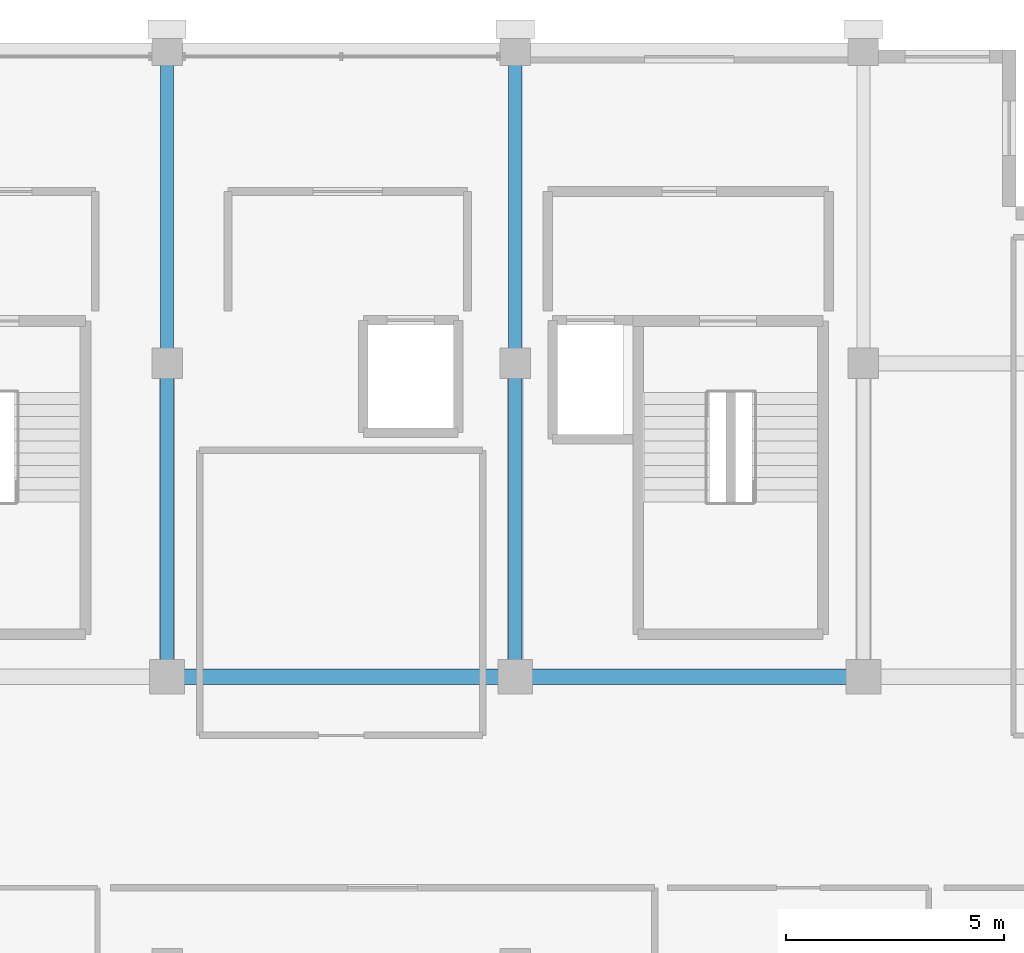
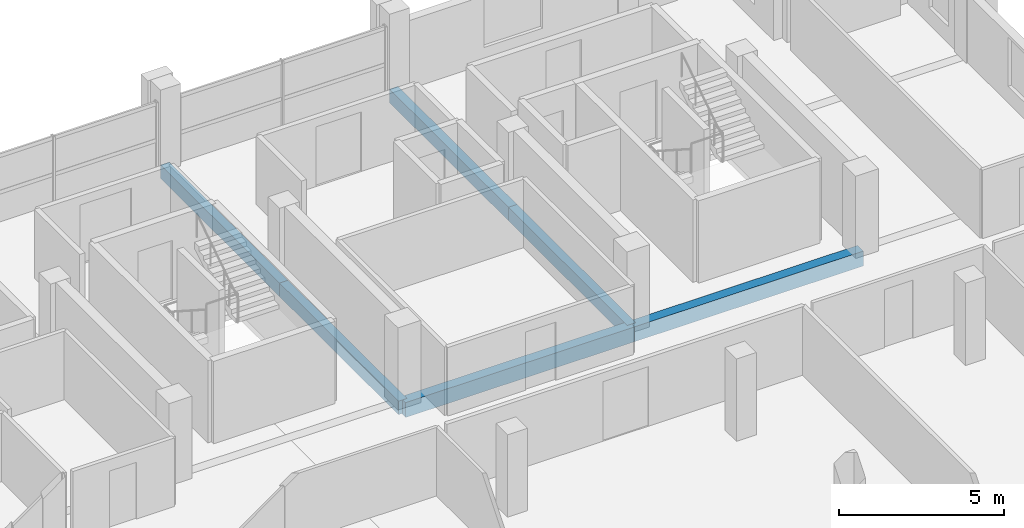
# One storey, part 12 of 24: 6 beams.
"""IFC4 building model written with IfcOpenShell, lengths in metres."""

from ifc_helpers import new_model, si_unit, direction, frame, origin, origin_2d, place, context, subcontext, project, spatial, rectangle, extrude, material, material_profile, profile_set, type_object, element, save


model = new_model("IFC4")

# Units and contexts
model_context = context("Model", 3, precision=1e-05, world=origin(), true_north=direction((0.0, 1.0)))
body_context = subcontext(model_context, "Body", "Model", "MODEL_VIEW")
ifc_project = project(units=[si_unit("LENGTHUNIT", "METRE"), si_unit("AREAUNIT", "SQUARE_METRE"), si_unit("VOLUMEUNIT", "CUBIC_METRE"), si_unit("PLANEANGLEUNIT", "RADIAN"), si_unit("MASSUNIT", "GRAM", prefix="KILO")], contexts=[model_context])

# Site, building, storey
site_placement = place(None, origin())
site = spatial("IfcSite", under=ifc_project, at=site_placement, CompositionType="ELEMENT")
building_placement = place(site_placement, origin())
building = spatial("IfcBuilding", under=site, at=building_placement, Name="Akrevak Sports Hall", CompositionType="ELEMENT")
storey_placement = place(building_placement, frame((0.0, 0.0, 60.050048828125)))
storey = spatial("IfcBuildingStorey", under=building, at=storey_placement, Name="L15", CompositionType="ELEMENT", Elevation=60.050048828125)

# Beams
ifc_material = material(Name="Concrete C40/50", Category="concrete")
ifc_material_profile_1 = material_profile(ifc_material, rectangle(XDim=0.300048828125, YDim=0.5, at=origin_2d()), Name="BM 300x500", Category="concrete")
ifc_profile_set_1 = profile_set([ifc_material_profile_1], Name="Concrete C40/50")
beam_type_1 = type_object("IfcBeamType", Name="STR-BM-RC300x500", PredefinedType="BEAM", material=ifc_profile_set_1)
beam_1_placement = place(storey_placement, frame((84.0, 55.199951171875, -0.25), z_axis=(0.0, 1.0, 0.0), x_axis=(-1.0, 0.0, 0.0)))
element("IfcBeam", 1, at=beam_1_placement, inside=storey, type_object=beam_type_1, Name="Girder 12/I-J (L15)", PredefinedType="BEAM", context=body_context, shape_type="SweptSolid", body=[
    extrude(rectangle(XDim=0.300048828125, YDim=0.5, at=origin_2d()), origin(), (0.0, 0.0, 1.0), 7.199951171875),
])
beam_2_placement = place(storey_placement, frame((84.0, 62.39990234375, -0.25), z_axis=(0.0, 1.0, 0.0), x_axis=(-1.0, 0.0, 0.0)))
element("IfcBeam", 2, at=beam_2_placement, inside=storey, type_object=beam_type_1, Name="Girder 12/J-K (L15)", PredefinedType="BEAM", context=body_context, shape_type="SweptSolid", body=[
    extrude(rectangle(XDim=0.300048828125, YDim=0.5, at=origin_2d()), origin(), (0.0, 0.0, 1.0), 7.2001953125),
])
beam_3_placement = place(storey_placement, frame((92.0, 55.199951171875, -0.25), z_axis=(0.0, 1.0, 0.0), x_axis=(-1.0, 0.0, 0.0)))
element("IfcBeam", 3, at=beam_3_placement, inside=storey, type_object=beam_type_1, Name="Girder 13/I-J (L15)", PredefinedType="BEAM", context=body_context, shape_type="SweptSolid", body=[
    extrude(rectangle(XDim=0.300048828125, YDim=0.5, at=origin_2d()), origin(), (0.0, 0.0, 1.0), 7.199951171875),
])
beam_4_placement = place(storey_placement, frame((92.0, 62.39990234375, -0.25), z_axis=(0.0, 1.0, 0.0), x_axis=(-1.0, 0.0, 0.0)))
element("IfcBeam", 4, at=beam_4_placement, inside=storey, type_object=beam_type_1, Name="Girder 13/J-K (L15)", PredefinedType="BEAM", context=body_context, shape_type="SweptSolid", body=[
    extrude(rectangle(XDim=0.300048828125, YDim=0.5, at=origin_2d()), origin(), (0.0, 0.0, 1.0), 7.2001953125),
])
ifc_material_profile_2 = material_profile(ifc_material, rectangle(XDim=0.35009765625, YDim=0.550048828125, at=origin_2d()), Name="BM 350x550", Category="concrete")
ifc_profile_set_2 = profile_set([ifc_material_profile_2], Name="Concrete C40/50")
beam_type_2 = type_object("IfcBeamType", Name="STR-BM-RC350x550", PredefinedType="BEAM", material=ifc_profile_set_2)
for number, where, z_axis, x_axis, name in (
    (5, (84.0, 55.199951171875, -0.275146484375), (1.0, 0.0, 0.0), (0.0, 1.0, 0.0), "Girder I/12-13 (L15)"),
    (6, (92.0, 55.199951171875, -0.275146484375), (1.0, 0.0, 0.0), (0.0, 1.0, 0.0), "Girder I/13-14 (L15)"),
):
    element("IfcBeam", number, at=place(storey_placement, frame(where, z_axis=z_axis, x_axis=x_axis)), inside=storey, type_object=beam_type_2, Name=name, PredefinedType="BEAM", context=body_context, shape_type="SweptSolid", body=[
        extrude(rectangle(XDim=0.35009765625, YDim=0.550048828125, at=origin_2d()), origin(), (0.0, 0.0, 1.0), 8.0),
    ])

save(model, "model.ifc")
